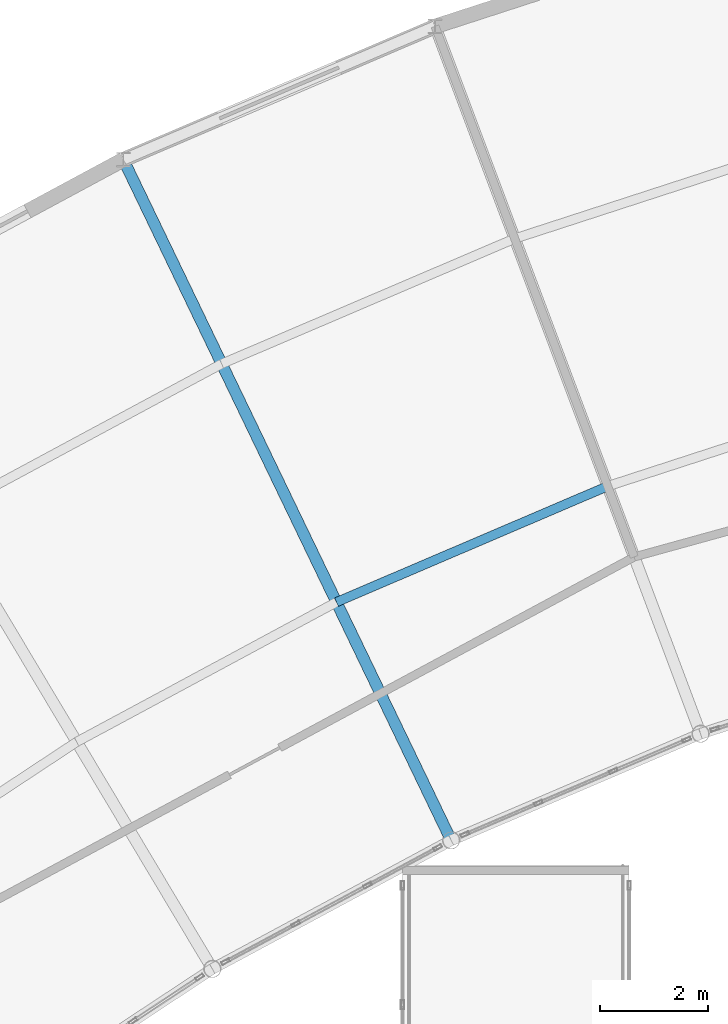
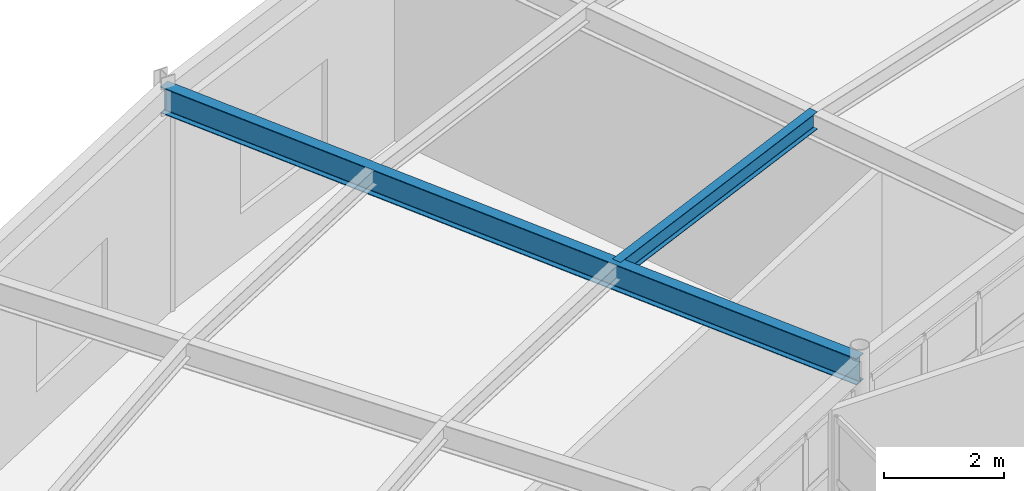
# One storey, part 69 of 116: 2 beams.
"""IFC4 building model written with IfcOpenShell, lengths in metres."""

from ifc_helpers import new_model, si_unit, direction, frame, origin, origin_2d, place, context, subcontext, project, spatial, i_section, extrude, material, material_profile, profile_set, type_object, element, save


model = new_model("IFC4")

# Units and contexts
model_context = context("Model", 3, precision=1e-05, world=origin(), true_north=direction((0.0, 1.0)))
body_context = subcontext(model_context, "Body", "Model", "MODEL_VIEW")
ifc_project = project(units=[si_unit("LENGTHUNIT", "METRE"), si_unit("AREAUNIT", "SQUARE_METRE"), si_unit("VOLUMEUNIT", "CUBIC_METRE"), si_unit("PLANEANGLEUNIT", "RADIAN"), si_unit("MASSUNIT", "GRAM", prefix="KILO")], contexts=[model_context])

# Site, building, storey
site_placement = place(None, origin())
site = spatial("IfcSite", under=ifc_project, at=site_placement, CompositionType="ELEMENT")
building_placement = place(site_placement, origin())
building = spatial("IfcBuilding", under=site, at=building_placement, Name="Selat Folded Stagehouse", CompositionType="ELEMENT")
storey_placement = place(building_placement, frame((0.0, 0.0, 5.39990234375)))
storey = spatial("IfcBuildingStorey", under=building, at=storey_placement, Name="L01", CompositionType="ELEMENT", Elevation=5.39990234375)

# Beams
ifc_material = material(Name="Steel S355", Category="steel")
ifc_material_profile_1 = material_profile(ifc_material, i_section(OverallWidth=0.209228515625, OverallDepth=0.533203125, WebThickness=0.010009765625, FlangeThickness=0.015625, FilletRadius=0.0126953125, at=origin_2d()), Name="UKB 533x210x92")
ifc_profile_set_1 = profile_set([ifc_material_profile_1], Name="Steel S355")
beam_type_1 = type_object("IfcBeamType", Name="BM-GIRD-533x210x92", PredefinedType="BEAM", material=ifc_profile_set_1)
beam_1_placement = place(storey_placement, frame((68.1025390625, 88.454345703125, 4.303466796875), z_axis=(-0.433890071226, 0.900965818492, 0.0), x_axis=(-0.900965818492, -0.433890071226, 0.0)))
element("IfcBeam", 1, at=beam_1_placement, inside=storey, type_object=beam_type_1, Name="L01 curved rehearsal radial girder 3", PredefinedType="BEAM", context=body_context, shape_type="SweptSolid", body=[
    extrude(i_section(OverallWidth=0.209228515625, OverallDepth=0.533203125, WebThickness=0.010009765625, FlangeThickness=0.015625, FilletRadius=0.0126953125, at=origin_2d()), origin(), (0.0, 0.0, 1.0), 14.0),
])
ifc_material_profile_2 = material_profile(ifc_material, i_section(OverallWidth=0.17138671875, OverallDepth=0.35498046875, WebThickness=0.00732421875, FlangeThickness=0.011474609375, FilletRadius=0.01025390625, at=origin_2d()), Name="UKB 356x171x51")
ifc_profile_set_2 = profile_set([ifc_material_profile_2], Name="Steel S355")
beam_type_2 = type_object("IfcBeamType", Name="JST-356x171x51", PredefinedType="JOIST", material=ifc_profile_set_2)
beam_2_placement = place(storey_placement, frame((65.9765625, 92.868896484375, 4.392578125), z_axis=(0.91952359964, 0.393034794521, 0.0), x_axis=(-0.393034794521, 0.91952359964, 0.0)))
element("IfcBeam", 2, at=beam_2_placement, inside=storey, type_object=beam_type_2, Name="L01 curved rehearsal secondary joist 3.1", PredefinedType="JOIST", context=body_context, shape_type="SweptSolid", body=[
    extrude(i_section(OverallWidth=0.17138671875, OverallDepth=0.35498046875, WebThickness=0.00732421875, FlangeThickness=0.011474609375, FilletRadius=0.01025390625, at=origin_2d()), origin(), (0.0, 0.0, 1.0), 5.46435546875),
])

save(model, "model.ifc")
